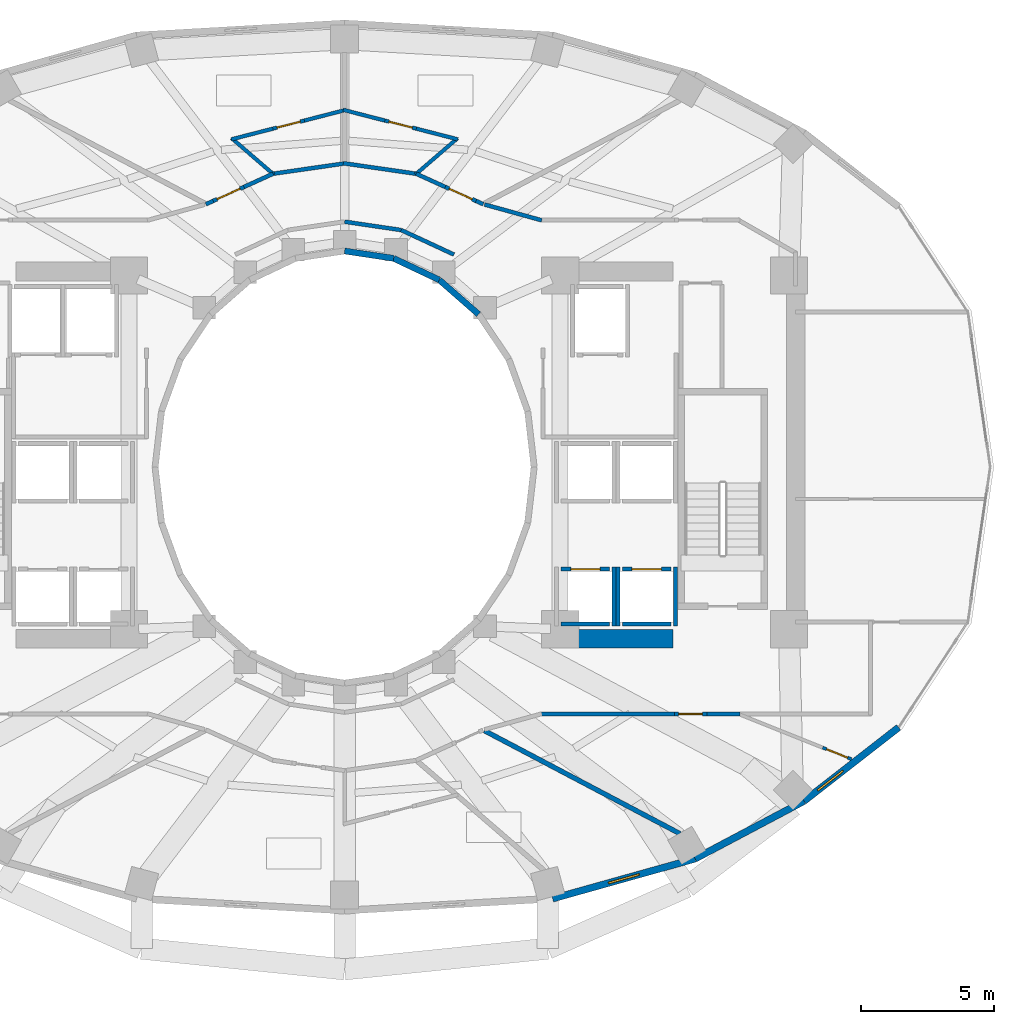
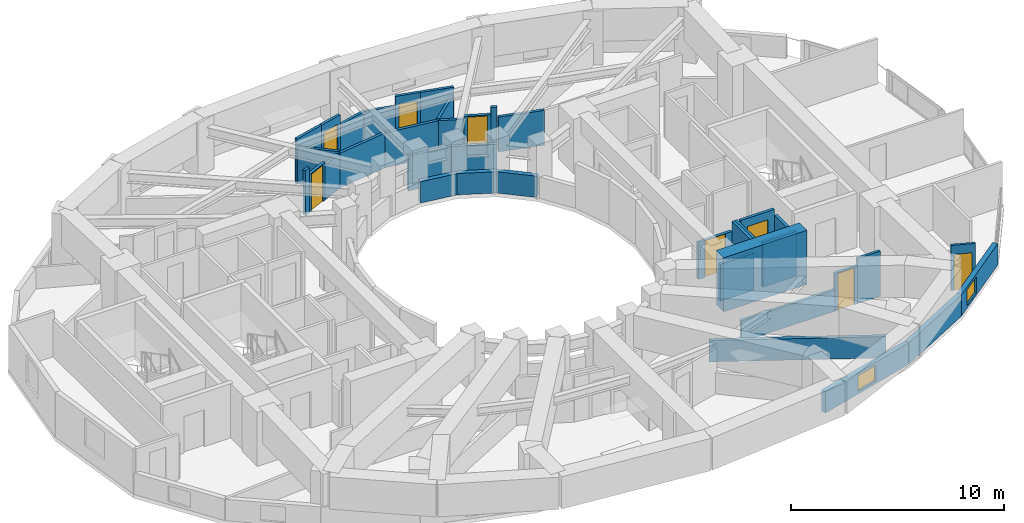
# One storey, part 9 of 14: 38 walls, 8 doors, 2 windows, 10 openings.
"""IFC4 building model written with IfcOpenShell, lengths in metres."""

from ifc_helpers import new_model, si_unit, direction, frame, frame_2d, origin, place, context, subcontext, project, spatial, rectangle, extrude, material, layer, layer_set, type_object, element, fill, save


model = new_model("IFC4")

# Units and contexts
model_context = context("Model", 3, precision=1e-05, world=origin(), true_north=direction((0.0, 1.0)))
body_context = subcontext(model_context, "Body", "Model", "MODEL_VIEW")
ifc_project = project(units=[si_unit("LENGTHUNIT", "METRE"), si_unit("AREAUNIT", "SQUARE_METRE"), si_unit("VOLUMEUNIT", "CUBIC_METRE"), si_unit("PLANEANGLEUNIT", "RADIAN"), si_unit("MASSUNIT", "GRAM", prefix="KILO")], contexts=[model_context])

# Site, building, storey
site_placement = place(None, origin())
site = spatial("IfcSite", under=ifc_project, at=site_placement, CompositionType="ELEMENT")
building_placement = place(site_placement, origin())
building = spatial("IfcBuilding", under=site, at=building_placement, Name="Solvane Sanctuary Tower", CompositionType="ELEMENT")
storey_placement = place(building_placement, frame((0.0, 0.0, 91.800048828125)))
storey = spatial("IfcBuildingStorey", under=building, at=storey_placement, Name="L27", CompositionType="ELEMENT", Elevation=91.800048828125)

# Walls
ifc_material_1 = material(Name="Concrete C60/75", Category="concrete")
ifc_layer_1 = layer(ifc_material_1, 0.699951171875, Name="Concrete C60/75")
ifc_layer_set_1 = layer_set([ifc_layer_1], Name="Concrete C60/75")
wall_type_1 = type_object("IfcWallType", Name="Wall W-CORE-700", PredefinedType="SHEAR", material=ifc_layer_set_1)
wall_1_placement = place(storey_placement, frame((39.85009765625, 16.550048828125, 0.0), z_axis=(0.0, 0.0, 1.0), x_axis=(1.0, 0.0, 0.0)))
element("IfcWall", 1, at=wall_1_placement, inside=storey, type_object=wall_type_1, Name="L27 Core Shear Wall EC-S", PredefinedType="SHEAR", context=body_context, shape_type="SweptSolid", body=[
    extrude(rectangle(XDim=4.5, YDim=0.699951171875, at=frame_2d((2.25, 0.0))), origin(), (0.0, 0.0, 1.0), 3.099853515625),
])
ifc_material_2 = material(Name="Acoustic Gypsum Partition Board")
ifc_layer_2 = layer(ifc_material_2, 0.14990234375, Name="Acoustic Gypsum Partition Board")
ifc_layer_set_2 = layer_set([ifc_layer_2], Name="Acoustic Gypsum Partition Board")
wall_type_2 = type_object("IfcWallType", Name="Wall W-CORR-150", PredefinedType="PARTITIONING", material=ifc_layer_set_2)
wall_2_placement = place(storey_placement, frame((36.110107421875, 30.98486328125, 0.0), z_axis=(0.0, 0.0, 1.0), x_axis=(-0.906943449489, 0.421252393975, 0.0)))
element("IfcWall", 2, at=wall_2_placement, inside=storey, type_object=wall_type_2, Name="L27 Light-Well Corridor Rim Wall N1", PredefinedType="PARTITIONING", context=body_context, shape_type="SweptSolid", body=[
    extrude(rectangle(XDim=2.18603515625, YDim=0.14990234375, at=frame_2d((1.093017578125, 0.0))), origin(), (0.0, 0.0, 1.0), 1.991943359375),
])
wall_3_placement = place(storey_placement, frame((34.12744140625, 31.90576171875, 0.0), z_axis=(0.0, 0.0, 1.0), x_axis=(-0.989268584896, 0.146108408166, 0.0)))
element("IfcWall", 3, at=wall_3_placement, inside=storey, type_object=wall_type_2, Name="L27 Light-Well Corridor Rim Wall N2", PredefinedType="PARTITIONING", context=body_context, shape_type="SweptSolid", body=[
    extrude(rectangle(XDim=2.150634765625, YDim=0.14990234375, at=frame_2d((1.0751953125, 0.0))), origin(), (0.0, 0.0, 1.0), 1.991943359375),
])
wall_4_placement = place(storey_placement, frame((37.258056640625, 32.86669921875, 0.0), z_axis=(0.0, 0.0, 1.0), x_axis=(0.963833843713, -0.266503886865, 0.0)))
element("IfcWall", 4, at=wall_4_placement, inside=storey, type_object=wall_type_2, Name="L27 NE Corner Throat Wall", PredefinedType="PARTITIONING", context=body_context, shape_type="SweptSolid", body=[
    extrude(rectangle(XDim=2.231689453125, YDim=0.14990234375, at=frame_2d((1.11572265625, 0.0))), origin(), (0.0, 0.0, 1.0), 1.991943359375),
])
wall_5_placement = place(storey_placement, frame((39.330078125, 13.719970703125, 0.0), z_axis=(0.0, 0.0, 1.0), x_axis=(1.0, 0.0, 0.0)))
element("IfcWall", 5, at=wall_5_placement, inside=storey, type_object=wall_type_2, Name="L27 SE Corner Corridor Wall", PredefinedType="PARTITIONING", context=body_context, shape_type="SweptSolid", body=[
    extrude(rectangle(XDim=5.059814453125, YDim=0.14990234375, at=frame_2d((2.52978515625, 0.0))), origin(), (0.0, 0.0, 1.0), 1.219970703125),
])

# Wall, opening, door
wall_6_placement = place(storey_placement, frame((44.389892578125, 13.719970703125, 0.0), z_axis=(0.0, 0.0, 1.0), x_axis=(1.0, 0.0, 0.0)))
wall_6 = element("IfcWall", 6, at=wall_6_placement, inside=storey, type_object=wall_type_2, Name="L27 SE Corner Corridor Wall", PredefinedType="PARTITIONING", context=body_context, shape_type="SweptSolid", body=[
    extrude(rectangle(XDim=1.22021484375, YDim=0.14990234375, at=frame_2d((0.610107421875, 0.0))), origin(), (0.0, 0.0, 1.0), 2.159912109375),
])
opening_1_placement = place(wall_6_placement, frame((0.159912109375, 0.0, 0.0)))
opening_1 = element("IfcOpeningElement", 7, at=opening_1_placement, cuts=wall_6, Name="Opening D-L27-16", PredefinedType="OPENING", context=body_context, shape_type="SweptSolid", body=[
    extrude(rectangle(XDim=0.89990234375, YDim=2.10009765625, at=frame_2d((0.449951171875, 1.050048828125))), frame((0.0, 0.0849609375, 0.0), z_axis=(0.0, -1.0, 0.0), x_axis=(1.0, 0.0, 0.0)), (0.0, 0.0, 1.0), 0.169921875),
])
ifc_material_3 = material(Name="Engineered Tropical Hardwood", Category="wood")
door_type_1 = type_object("IfcDoorType", Name="Door D-WET-900", OperationType="NOTDEFINED", PredefinedType="DOOR", material=ifc_material_3)
door_1_placement = place(opening_1_placement, origin())
door_1 = element("IfcDoor", 8, at=door_1_placement, inside=storey, type_object=door_type_1, Name="L27 SE Corner Salon Door", OperationType="SINGLE_SWING_LEFT", OverallHeight=2.10009765625, OverallWidth=0.89990234375, PredefinedType="DOOR", context=body_context, shape_type="SweptSolid", body=[
    extrude(rectangle(XDim=0.89990234375, YDim=2.10009765625, at=frame_2d((0.449951171875, 1.050048828125))), frame((0.0, 0.02490234375, 0.0), z_axis=(0.0, -1.0, 0.0), x_axis=(1.0, 0.0, 0.0)), (0.0, 0.0, 1.0), 0.050048828125),
])
fill(opening_1, door_1)

# Walls
wall_7_placement = place(storey_placement, frame((45.610107421875, 13.719970703125, 0.0), z_axis=(0.0, 0.0, 1.0), x_axis=(1.0, 0.0, 0.0)))
element("IfcWall", 9, at=wall_7_placement, inside=storey, type_object=wall_type_2, Name="L27 SE Corner Corridor Wall", PredefinedType="PARTITIONING", context=body_context, shape_type="SweptSolid", body=[
    extrude(rectangle(XDim=1.239990234375, YDim=0.14990234375, at=frame_2d((0.6201171875, 0.0))), origin(), (0.0, 0.0, 1.0), 2.574951171875),
])
wall_8_placement = place(storey_placement, frame((34.743896484375, 34.01416015625, 0.0), z_axis=(0.0, 0.0, 1.0), x_axis=(-0.989761784218, 0.142729150844, 0.0)))
element("IfcWall", 10, at=wall_8_placement, inside=storey, type_object=wall_type_2, Name="L27 En-suite Inner Wall N1", PredefinedType="PARTITIONING", context=body_context, shape_type="SweptSolid", body=[
    extrude(rectangle(XDim=2.822265625, YDim=0.14990234375, at=frame_2d((1.4111328125, 0.0))), origin(), (0.0, 0.0, 1.0), 1.991943359375),
])
wall_9_placement = place(storey_placement, frame((37.211181640625, 32.87744140625, 0.0), z_axis=(0.0, 0.0, 1.0), x_axis=(-0.910618030944, 0.413249079514, 0.0)))
element("IfcWall", 11, at=wall_9_placement, inside=storey, type_object=wall_type_2, Name="L27 Unit Corridor Wall N1", PredefinedType="PARTITIONING", context=body_context, shape_type="SweptSolid", body=[
    extrude(rectangle(XDim=0.298828125, YDim=0.14990234375, at=frame_2d((0.1494140625, 0.0))), origin(), (0.0, 0.0, 1.0), 2.574951171875),
])

# Wall, opening, door
wall_10_placement = place(storey_placement, frame((36.93896484375, 33.0009765625, 0.0), z_axis=(0.0, 0.0, 1.0), x_axis=(-0.910563905594, 0.413368327075, 0.0)))
wall_10 = element("IfcWall", 12, at=wall_10_placement, inside=storey, type_object=wall_type_2, Name="L27 Unit Corridor Wall N1", PredefinedType="PARTITIONING", context=body_context, shape_type="SweptSolid", body=[
    extrude(rectangle(XDim=1.269775390625, YDim=0.14990234375, at=frame_2d((0.634765625, 0.0))), origin(), (0.0, 0.0, 1.0), 2.159912109375),
])
opening_2_placement = place(wall_10_placement, frame((0.159912109375, 0.0, 0.0)))
opening_2 = element("IfcOpeningElement", 13, at=opening_2_placement, cuts=wall_10, Name="Opening D-L27-18", PredefinedType="OPENING", context=body_context, shape_type="SweptSolid", body=[
    extrude(rectangle(XDim=0.949951171875, YDim=2.10009765625, at=frame_2d((0.47509765625, 1.050048828125))), frame((0.0, 0.0849609375, 0.0), z_axis=(0.0, -1.0, 0.0), x_axis=(1.0, 0.0, 0.0)), (0.0, 0.0, 1.0), 0.169921875),
])
door_type_2 = type_object("IfcDoorType", Name="Door D-ROOM-950", OperationType="NOTDEFINED", PredefinedType="DOOR", material=ifc_material_3)
door_2_placement = place(opening_2_placement, origin())
door_2 = element("IfcDoor", 14, at=door_2_placement, inside=storey, type_object=door_type_2, Name="L27 Unit Entrance Door N1", OperationType="SINGLE_SWING_LEFT", OverallHeight=2.10009765625, OverallWidth=0.949951171875, PredefinedType="DOOR", context=body_context, shape_type="SweptSolid", body=[
    extrude(rectangle(XDim=0.949951171875, YDim=2.10009765625, at=frame_2d((0.47509765625, 1.050048828125))), frame((0.0, 0.02490234375, 0.0), z_axis=(0.0, -1.0, 0.0), x_axis=(1.0, 0.0, 0.0)), (0.0, 0.0, 1.0), 0.050048828125),
])
fill(opening_2, door_2)

# Walls
wall_11_placement = place(storey_placement, frame((35.78271484375, 33.52587890625, 0.0), z_axis=(0.0, 0.0, 1.0), x_axis=(-0.910560970219, 0.413374793032, 0.0)))
element("IfcWall", 15, at=wall_11_placement, inside=storey, type_object=wall_type_2, Name="L27 Unit Corridor Wall N1", PredefinedType="PARTITIONING", context=body_context, shape_type="SweptSolid", body=[
    extrude(rectangle(XDim=1.203125, YDim=0.14990234375, at=frame_2d((0.6015625, 0.0))), origin(), (0.0, 0.0, 1.0), 1.991943359375),
])
wall_12_placement = place(storey_placement, frame((32.049560546875, 34.4169921875, 0.0), z_axis=(0.0, 0.0, 1.0), x_axis=(-0.989761784218, -0.142729150844, 0.0)))
element("IfcWall", 16, at=wall_12_placement, inside=storey, type_object=wall_type_2, Name="L27 En-suite Inner Wall N2", PredefinedType="PARTITIONING", context=body_context, shape_type="SweptSolid", body=[
    extrude(rectangle(XDim=2.822265625, YDim=0.14990234375, at=frame_2d((1.4111328125, 0.0))), origin(), (0.0, 0.0, 1.0), 1.991943359375),
])
wall_13_placement = place(storey_placement, frame((29.312744140625, 34.023193359375, 0.0), z_axis=(0.0, 0.0, 1.0), x_axis=(-0.910560970219, -0.413374793032, 0.0)))
element("IfcWall", 17, at=wall_13_placement, inside=storey, type_object=wall_type_2, Name="L27 Unit Corridor Wall N2", PredefinedType="PARTITIONING", context=body_context, shape_type="SweptSolid", body=[
    extrude(rectangle(XDim=1.203125, YDim=0.14990234375, at=frame_2d((0.6015625, 0.0))), origin(), (0.0, 0.0, 1.0), 1.991943359375),
])

# Wall, opening, door
wall_14_placement = place(storey_placement, frame((28.21728515625, 33.52587890625, 0.0), z_axis=(0.0, 0.0, 1.0), x_axis=(-0.910563905594, -0.413368327075, 0.0)))
wall_14 = element("IfcWall", 18, at=wall_14_placement, inside=storey, type_object=wall_type_2, Name="L27 Unit Corridor Wall N2", PredefinedType="PARTITIONING", context=body_context, shape_type="SweptSolid", body=[
    extrude(rectangle(XDim=1.269775390625, YDim=0.14990234375, at=frame_2d((0.634765625, 0.0))), origin(), (0.0, 0.0, 1.0), 2.159912109375),
])
opening_3_placement = place(wall_14_placement, frame((0.159912109375, 0.0, 0.0)))
opening_3 = element("IfcOpeningElement", 19, at=opening_3_placement, cuts=wall_14, Name="Opening D-L27-20", PredefinedType="OPENING", context=body_context, shape_type="SweptSolid", body=[
    extrude(rectangle(XDim=0.949951171875, YDim=2.10009765625, at=frame_2d((0.47509765625, 1.050048828125))), frame((0.0, 0.0849609375, 0.0), z_axis=(0.0, -1.0, 0.0), x_axis=(1.0, 0.0, 0.0)), (0.0, 0.0, 1.0), 0.169921875),
])
door_3_placement = place(opening_3_placement, origin())
door_3 = element("IfcDoor", 20, at=door_3_placement, inside=storey, type_object=door_type_2, Name="L27 Unit Entrance Door N2", OperationType="SINGLE_SWING_LEFT", OverallHeight=2.10009765625, OverallWidth=0.949951171875, PredefinedType="DOOR", context=body_context, shape_type="SweptSolid", body=[
    extrude(rectangle(XDim=0.949951171875, YDim=2.10009765625, at=frame_2d((0.47509765625, 1.050048828125))), frame((0.0, 0.02490234375, 0.0), z_axis=(0.0, -1.0, 0.0), x_axis=(1.0, 0.0, 0.0)), (0.0, 0.0, 1.0), 0.050048828125),
])
fill(opening_3, door_3)

# Wall
wall_15_placement = place(storey_placement, frame((27.06103515625, 33.0009765625, 0.0), z_axis=(0.0, 0.0, 1.0), x_axis=(-0.910618030944, -0.413249079514, 0.0)))
element("IfcWall", 21, at=wall_15_placement, inside=storey, type_object=wall_type_2, Name="L27 Unit Corridor Wall N2", PredefinedType="PARTITIONING", context=body_context, shape_type="SweptSolid", body=[
    extrude(rectangle(XDim=0.298828125, YDim=0.14990234375, at=frame_2d((0.1494140625, 0.0))), origin(), (0.0, 0.0, 1.0), 2.574951171875),
])

# Wall, opening, window
ifc_material_4 = material(Name="Precast concrete C40/50", Category="concrete")
ifc_layer_3 = layer(ifc_material_4, 0.260009765625, Name="Precast concrete C40/50")
ifc_layer_set_3 = layer_set([ifc_layer_3], Name="Precast concrete C40/50")
wall_type_3 = type_object("IfcWallType", Name="Wall W-EXT-250", PredefinedType="STANDARD", material=ifc_layer_set_3)
wall_16_placement = place(storey_placement, frame((39.81640625, 6.7783203125, 0.0), z_axis=(0.0, 0.0, 1.0), x_axis=(0.962938491413, 0.269721081407, 0.0)))
wall_16 = element("IfcWall", 22, at=wall_16_placement, inside=storey, type_object=wall_type_3, Name="L27 Ceramic-Printed Facade Wall 19", PredefinedType="STANDARD", context=body_context, shape_type="SweptSolid", body=[
    extrude(rectangle(XDim=5.563232421875, YDim=0.260009765625, at=frame_2d((2.78173828125, 0.0))), origin(), (0.0, 0.0, 1.0), 1.219970703125),
])
opening_4_placement = place(wall_16_placement, frame((2.181640625, 0.0, 0.14990234375)))
opening_4 = element("IfcOpeningElement", 23, at=opening_4_placement, cuts=wall_16, Name="Opening WN-OPER-1200", PredefinedType="OPENING", context=body_context, shape_type="SweptSolid", body=[
    extrude(rectangle(XDim=1.199951171875, YDim=0.89990234375, at=frame_2d((0.60009765625, 0.449951171875))), frame((0.0, 0.139892578125, 0.0), z_axis=(0.0, -1.0, 0.0), x_axis=(1.0, 0.0, 0.0)), (0.0, 0.0, 1.0), 0.280029296875),
])
ifc_material_5 = material(Name="Dark Ceramic-Fritted Low-E Glass", Category="glass")
window_type = type_object("IfcWindowType", Name="Window WN-OPER-1200", PartitioningType="SINGLE_PANEL", PredefinedType="WINDOW", material=ifc_material_5)
window_1_placement = place(opening_4_placement, origin())
window_1 = element("IfcWindow", 24, at=window_1_placement, inside=storey, type_object=window_type, Name="L27 Operable Facade Window 19", OverallHeight=0.89990234375, OverallWidth=1.199951171875, PartitioningType="SINGLE_PANEL", PredefinedType="WINDOW", context=body_context, shape_type="SweptSolid", body=[
    extrude(rectangle(XDim=1.199951171875, YDim=0.89990234375, at=frame_2d((0.60009765625, 0.449951171875))), frame((0.0, 0.030029296875, 0.0), z_axis=(0.0, -1.0, 0.0), x_axis=(1.0, 0.0, 0.0)), (0.0, 0.0, 1.0), 0.06005859375),
])
fill(opening_4, window_1)

# Wall
wall_17_placement = place(storey_placement, frame((45.17333984375, 8.27880859375, 0.0), z_axis=(0.0, 0.0, 1.0), x_axis=(0.883668636807, 0.4681129568, 0.0)))
element("IfcWall", 25, at=wall_17_placement, inside=storey, type_object=wall_type_3, Name="L27 Ceramic-Printed Facade Wall 20", PredefinedType="STANDARD", context=body_context, shape_type="SweptSolid", body=[
    extrude(rectangle(XDim=4.63134765625, YDim=0.260009765625, at=frame_2d((2.315673828125, 0.0))), origin(), (0.0, 0.0, 1.0), 1.219970703125),
])

# Wall, opening, window
wall_18_placement = place(storey_placement, frame((49.265869140625, 10.44677734375, 0.0), z_axis=(0.0, 0.0, 1.0), x_axis=(0.789127449954, 0.614229491094, 0.0)))
wall_18 = element("IfcWall", 26, at=wall_18_placement, inside=storey, type_object=wall_type_3, Name="L27 Ceramic-Printed Facade Wall 21", PredefinedType="STANDARD", context=body_context, shape_type="SweptSolid", body=[
    extrude(rectangle(XDim=4.504638671875, YDim=0.260009765625, at=frame_2d((2.25244140625, 0.0))), origin(), (0.0, 0.0, 1.0), 1.219970703125),
])
opening_5_placement = place(wall_18_placement, frame((0.65478515625, 0.0, 0.14990234375)))
opening_5 = element("IfcOpeningElement", 27, at=opening_5_placement, cuts=wall_18, Name="Opening WN-OPER-1200", PredefinedType="OPENING", context=body_context, shape_type="SweptSolid", body=[
    extrude(rectangle(XDim=1.199951171875, YDim=0.89990234375, at=frame_2d((0.60009765625, 0.449951171875))), frame((0.0, 0.139892578125, 0.0), z_axis=(0.0, -1.0, 0.0), x_axis=(1.0, 0.0, 0.0)), (0.0, 0.0, 1.0), 0.280029296875),
])
window_2_placement = place(opening_5_placement, origin())
window_2 = element("IfcWindow", 28, at=window_2_placement, inside=storey, type_object=window_type, Name="L27 Operable Facade Window 21", OverallHeight=0.89990234375, OverallWidth=1.199951171875, PartitioningType="SINGLE_PANEL", PredefinedType="WINDOW", context=body_context, shape_type="SweptSolid", body=[
    extrude(rectangle(XDim=1.199951171875, YDim=0.89990234375, at=frame_2d((0.60009765625, 0.449951171875))), frame((0.0, 0.030029296875, 0.0), z_axis=(0.0, -1.0, 0.0), x_axis=(1.0, 0.0, 0.0)), (0.0, 0.0, 1.0), 0.06005859375),
])
fill(opening_5, window_2)

# Walls
ifc_layer_4 = layer(ifc_material_4, 0.22998046875, Name="Precast concrete C40/50")
ifc_layer_set_4 = layer_set([ifc_layer_4], Name="Precast concrete C40/50")
wall_type_4 = type_object("IfcWallType", Name="Wall W-EXT-SP220", PredefinedType="STANDARD", material=ifc_layer_set_4)
wall_19_placement = place(storey_placement, frame((37.03466796875, 28.74169921875, 0.0), z_axis=(0.0, 0.0, 1.0), x_axis=(-0.752576694707, 0.658504607869, 0.0)))
element("IfcWall", 29, at=wall_19_placement, inside=storey, type_object=wall_type_4, Name="L27 Central Light-Well Wall 03", PredefinedType="STANDARD", context=body_context, shape_type="SweptSolid", body=[
    extrude(rectangle(XDim=1.95947265625, YDim=0.22998046875, at=frame_2d((0.979736328125, 0.0))), origin(), (0.0, 0.0, 1.0), 1.219970703125),
])
wall_20_placement = place(storey_placement, frame((35.56005859375, 30.031982421875, 0.0), z_axis=(0.0, 0.0, 1.0), x_axis=(-0.904179699603, 0.427152280606, 0.0)))
element("IfcWall", 30, at=wall_20_placement, inside=storey, type_object=wall_type_4, Name="L27 Central Light-Well Wall 04", PredefinedType="STANDARD", context=body_context, shape_type="SweptSolid", body=[
    extrude(rectangle(XDim=1.899169921875, YDim=0.22998046875, at=frame_2d((0.94970703125, 0.0))), origin(), (0.0, 0.0, 1.0), 1.219970703125),
])
wall_21_placement = place(storey_placement, frame((33.8427734375, 30.84326171875, 0.0), z_axis=(0.0, 0.0, 1.0), x_axis=(-0.988901730308, 0.148571086668, 0.0)))
element("IfcWall", 31, at=wall_21_placement, inside=storey, type_object=wall_type_4, Name="L27 Central Light-Well Wall 05", PredefinedType="STANDARD", context=body_context, shape_type="SweptSolid", body=[
    extrude(rectangle(XDim=1.863525390625, YDim=0.22998046875, at=frame_2d((0.931640625, 0.0))), origin(), (0.0, 0.0, 1.0), 1.219970703125),
])

# Wall, opening, door
ifc_layer_5 = layer(ifc_material_2, 0.1201171875, Name="Acoustic Gypsum Partition Board")
ifc_layer_set_5 = layer_set([ifc_layer_5], Name="Acoustic Gypsum Partition Board")
wall_type_5 = type_object("IfcWallType", Name="Wall W-MOV-100", PredefinedType="MOVABLE", material=ifc_layer_set_5)
wall_22_placement = place(storey_placement, frame((49.96533203125, 12.4541015625, 0.0), z_axis=(0.0, 0.0, 1.0), x_axis=(0.928548626085, -0.371210787822, 0.0)))
wall_22 = element("IfcWall", 32, at=wall_22_placement, inside=storey, type_object=wall_type_5, Name="L27 SE Corner Suite Partition", PredefinedType="MOVABLE", context=body_context, shape_type="SweptSolid", body=[
    extrude(rectangle(XDim=1.169921875, YDim=0.1201171875, at=frame_2d((0.5849609375, 0.0))), origin(), (0.0, 0.0, 1.0), 2.574951171875),
])
opening_6_placement = place(wall_22_placement, frame((0.159912109375, 0.0, 0.0)))
opening_6 = element("IfcOpeningElement", 33, at=opening_6_placement, cuts=wall_22, Name="Opening D-L27-15", PredefinedType="OPENING", context=body_context, shape_type="SweptSolid", body=[
    extrude(rectangle(XDim=0.85009765625, YDim=2.050048828125, at=frame_2d((0.425048828125, 1.02490234375))), frame((0.0, 0.070068359375, 0.0), z_axis=(0.0, -1.0, 0.0), x_axis=(1.0, 0.0, 0.0)), (0.0, 0.0, 1.0), 0.14013671875),
])
ifc_material_6 = material(Name="Architectural Stainless Steel 316", Category="steel")
door_type_3 = type_object("IfcDoorType", Name="Door D-RISER", OperationType="NOTDEFINED", PredefinedType="DOOR", material=ifc_material_6)
door_4_placement = place(opening_6_placement, origin())
door_4 = element("IfcDoor", 34, at=door_4_placement, inside=storey, type_object=door_type_3, Name="L27 SE Corner Suite Door", OperationType="SINGLE_SWING_RIGHT", OverallHeight=2.050048828125, OverallWidth=0.85009765625, PredefinedType="DOOR", context=body_context, shape_type="SweptSolid", body=[
    extrude(rectangle(XDim=0.85009765625, YDim=2.050048828125, at=frame_2d((0.425048828125, 1.02490234375))), frame((0.0, 0.02490234375, 0.0), z_axis=(0.0, -1.0, 0.0), x_axis=(1.0, 0.0, 0.0)), (0.0, 0.0, 1.0), 0.050048828125),
])
fill(opening_6, door_4)

ifc_material_7 = material(Name="Concrete C50/60", Category="concrete")
ifc_layer_6 = layer(ifc_material_7, 0.14990234375, Name="Concrete C50/60")
ifc_layer_set_6 = layer_set([ifc_layer_6], Name="Concrete C50/60")
wall_type_6 = type_object("IfcWallType", Name="Wall W-SHAFT-150", PredefinedType="SOLIDWALL", material=ifc_layer_set_6)
wall_23_placement = place(storey_placement, frame((40.139892578125, 19.159912109375, 0.0), z_axis=(0.0, 0.0, 1.0), x_axis=(1.0, 0.0, 0.0)))
wall_23 = element("IfcWall", 35, at=wall_23_placement, inside=storey, type_object=wall_type_6, Name="L27 PL-3 Lift Shaft Wall F", PredefinedType="SOLIDWALL", context=body_context, shape_type="SweptSolid", body=[
    extrude(rectangle(XDim=1.820068359375, YDim=0.14990234375, at=frame_2d((0.91015625, 0.0))), origin(), (0.0, 0.0, 1.0), 2.119873046875),
])
opening_7_placement = place(wall_23_placement, frame((0.360107421875, 0.0, 0.0)))
opening_7 = element("IfcOpeningElement", 36, at=opening_7_placement, cuts=wall_23, Name="Opening LD-L27-03", PredefinedType="OPENING", context=body_context, shape_type="SweptSolid", body=[
    extrude(rectangle(XDim=1.10009765625, YDim=2.10009765625, at=frame_2d((0.550048828125, 1.050048828125))), frame((0.0, 0.0849609375, 0.0), z_axis=(0.0, -1.0, 0.0), x_axis=(1.0, 0.0, 0.0)), (0.0, 0.0, 1.0), 0.169921875),
])
door_type_4 = type_object("IfcDoorType", Name="Door LD-PASS-1100", OperationType="NOTDEFINED", PredefinedType="DOOR", material=ifc_material_6)
door_5_placement = place(opening_7_placement, origin())
door_5 = element("IfcDoor", 37, at=door_5_placement, inside=storey, type_object=door_type_4, Name="L27 PL-3 Lift Landing Door", OperationType="DOUBLE_DOOR_SLIDING", OverallHeight=2.10009765625, OverallWidth=1.10009765625, PredefinedType="DOOR", context=body_context, shape_type="SweptSolid", body=[
    extrude(rectangle(XDim=1.10009765625, YDim=2.10009765625, at=frame_2d((0.550048828125, 1.050048828125))), frame((0.0, 0.02490234375, 0.0), z_axis=(0.0, -1.0, 0.0), x_axis=(1.0, 0.0, 0.0)), (0.0, 0.0, 1.0), 0.050048828125),
])
fill(opening_7, door_5)

# Walls
wall_24_placement = place(storey_placement, frame((40.139892578125, 17.10009765625, 0.0), z_axis=(0.0, 0.0, 1.0), x_axis=(1.0, 0.0, 0.0)))
element("IfcWall", 38, at=wall_24_placement, inside=storey, type_object=wall_type_6, Name="L27 PL-3 Lift Shaft Wall B", PredefinedType="SOLIDWALL", context=body_context, shape_type="SweptSolid", body=[
    extrude(rectangle(XDim=1.820068359375, YDim=0.14990234375, at=frame_2d((0.91015625, 0.0))), origin(), (0.0, 0.0, 1.0), 2.119873046875),
])
wall_25_placement = place(storey_placement, frame((42.1298828125, 17.02001953125, 0.0), z_axis=(0.0, 0.0, 1.0), x_axis=(0.0, 1.0, 0.0)))
element("IfcWall", 39, at=wall_25_placement, inside=storey, type_object=wall_type_6, Name="L27 PL-3 Lift Shaft Wall S2", PredefinedType="SOLIDWALL", context=body_context, shape_type="SweptSolid", body=[
    extrude(rectangle(XDim=2.219970703125, YDim=0.14990234375, at=frame_2d((1.10986328125, 0.0))), origin(), (0.0, 0.0, 1.0), 2.574951171875),
])

# Wall, opening, door
wall_26_placement = place(storey_placement, frame((42.43994140625, 19.159912109375, 0.0), z_axis=(0.0, 0.0, 1.0), x_axis=(1.0, 0.0, 0.0)))
wall_26 = element("IfcWall", 40, at=wall_26_placement, inside=storey, type_object=wall_type_6, Name="L27 PL-4 Lift Shaft Wall F", PredefinedType="SOLIDWALL", context=body_context, shape_type="SweptSolid", body=[
    extrude(rectangle(XDim=1.820068359375, YDim=0.14990234375, at=frame_2d((0.91015625, 0.0))), origin(), (0.0, 0.0, 1.0), 2.574951171875),
])
opening_8_placement = place(wall_26_placement, frame((0.360107421875, 0.0, 0.0)))
opening_8 = element("IfcOpeningElement", 41, at=opening_8_placement, cuts=wall_26, Name="Opening LD-L27-04", PredefinedType="OPENING", context=body_context, shape_type="SweptSolid", body=[
    extrude(rectangle(XDim=1.10009765625, YDim=2.10009765625, at=frame_2d((0.550048828125, 1.050048828125))), frame((0.0, 0.0849609375, 0.0), z_axis=(0.0, -1.0, 0.0), x_axis=(1.0, 0.0, 0.0)), (0.0, 0.0, 1.0), 0.169921875),
])
door_6_placement = place(opening_8_placement, origin())
door_6 = element("IfcDoor", 42, at=door_6_placement, inside=storey, type_object=door_type_4, Name="L27 PL-4 Lift Landing Door", OperationType="DOUBLE_DOOR_SLIDING", OverallHeight=2.10009765625, OverallWidth=1.10009765625, PredefinedType="DOOR", context=body_context, shape_type="SweptSolid", body=[
    extrude(rectangle(XDim=1.10009765625, YDim=2.10009765625, at=frame_2d((0.550048828125, 1.050048828125))), frame((0.0, 0.02490234375, 0.0), z_axis=(0.0, -1.0, 0.0), x_axis=(1.0, 0.0, 0.0)), (0.0, 0.0, 1.0), 0.050048828125),
])
fill(opening_8, door_6)

# Walls
wall_27_placement = place(storey_placement, frame((42.43994140625, 17.10009765625, 0.0), z_axis=(0.0, 0.0, 1.0), x_axis=(1.0, 0.0, 0.0)))
element("IfcWall", 43, at=wall_27_placement, inside=storey, type_object=wall_type_6, Name="L27 PL-4 Lift Shaft Wall B", PredefinedType="SOLIDWALL", context=body_context, shape_type="SweptSolid", body=[
    extrude(rectangle(XDim=1.820068359375, YDim=0.14990234375, at=frame_2d((0.91015625, 0.0))), origin(), (0.0, 0.0, 1.0), 2.574951171875),
])
wall_28_placement = place(storey_placement, frame((42.27001953125, 17.02001953125, 0.0), z_axis=(0.0, 0.0, 1.0), x_axis=(0.0, 1.0, 0.0)))
element("IfcWall", 44, at=wall_28_placement, inside=storey, type_object=wall_type_6, Name="L27 PL-4 Lift Shaft Wall S1", PredefinedType="SOLIDWALL", context=body_context, shape_type="SweptSolid", body=[
    extrude(rectangle(XDim=2.219970703125, YDim=0.14990234375, at=frame_2d((1.10986328125, 0.0))), origin(), (0.0, 0.0, 1.0), 2.574951171875),
])
wall_29_placement = place(storey_placement, frame((44.429931640625, 17.02001953125, 0.0), z_axis=(0.0, 0.0, 1.0), x_axis=(0.0, 1.0, 0.0)))
element("IfcWall", 45, at=wall_29_placement, inside=storey, type_object=wall_type_6, Name="L27 PL-4 Lift Shaft Wall S2", PredefinedType="SOLIDWALL", context=body_context, shape_type="SweptSolid", body=[
    extrude(rectangle(XDim=2.219970703125, YDim=0.14990234375, at=frame_2d((1.10986328125, 0.0))), origin(), (0.0, 0.0, 1.0), 2.119873046875),
])
ifc_layer_7 = layer(ifc_material_2, 0.179931640625, Name="Acoustic Gypsum Partition Board")
ifc_layer_set_7 = layer_set([ifc_layer_7], Name="Acoustic Gypsum Partition Board")
wall_type_7 = type_object("IfcWallType", Name="Wall W-UNIT-180", PredefinedType="PARTITIONING", material=ifc_layer_set_7)
wall_30_placement = place(storey_placement, frame((37.253662109375, 13.093017578125, 0.0), z_axis=(0.0, 0.0, 1.0), x_axis=(0.884730147854, -0.466103599512, 0.0)))
element("IfcWall", 46, at=wall_30_placement, inside=storey, type_object=wall_type_7, Name="L27 Radial Compartment Wall 300", PredefinedType="PARTITIONING", context=body_context, shape_type="SweptSolid", body=[
    extrude(rectangle(XDim=8.309814453125, YDim=0.179931640625, at=frame_2d((4.15478515625, 0.0))), origin(), (0.0, 0.0, 1.0), 1.219970703125),
])
ifc_layer_8 = layer(ifc_material_2, 0.139892578125, Name="Acoustic Gypsum Partition Board")
ifc_layer_set_8 = layer_set([ifc_layer_8], Name="Acoustic Gypsum Partition Board")
wall_type_8 = type_object("IfcWallType", Name="Wall W-WET-140", PredefinedType="PLUMBINGWALL", material=ifc_layer_set_8)
wall_31_placement = place(storey_placement, frame((34.656494140625, 33.988525390625, 0.0), z_axis=(0.0, 0.0, 1.0), x_axis=(0.757267205396, 0.653105182671, 0.0)))
element("IfcWall", 47, at=wall_31_placement, inside=storey, type_object=wall_type_8, Name="L27 En-suite Side Partition N1", PredefinedType="PLUMBINGWALL", context=body_context, shape_type="SweptSolid", body=[
    extrude(rectangle(XDim=2.10009765625, YDim=0.139892578125, at=frame_2d((1.050048828125, 0.0))), origin(), (0.0, 0.0, 1.0), 2.10498046875),
])
wall_32_placement = place(storey_placement, frame((36.25732421875, 35.314697265625, 0.0), z_axis=(0.0, 0.0, 1.0), x_axis=(-0.968427184166, 0.249296588359, 0.0)))
element("IfcWall", 48, at=wall_32_placement, inside=storey, type_object=wall_type_8, Name="L27 En-suite Bedroom Wall N1", PredefinedType="PLUMBINGWALL", context=body_context, shape_type="SweptSolid", body=[
    extrude(rectangle(XDim=1.613037109375, YDim=0.139892578125, at=frame_2d((0.806640625, 0.0))), origin(), (0.0, 0.0, 1.0), 2.574951171875),
])

# Wall, opening, door
wall_33_placement = place(storey_placement, frame((34.6953125, 35.716796875, 0.0), z_axis=(0.0, 0.0, 1.0), x_axis=(-0.968520506564, 0.248933783092, 0.0)))
wall_33 = element("IfcWall", 49, at=wall_33_placement, inside=storey, type_object=wall_type_8, Name="L27 En-suite Bedroom Wall N1", PredefinedType="PLUMBINGWALL", context=body_context, shape_type="SweptSolid", body=[
    extrude(rectangle(XDim=1.219970703125, YDim=0.139892578125, at=frame_2d((0.60986328125, 0.0))), origin(), (0.0, 0.0, 1.0), 2.574951171875),
])
opening_9_placement = place(wall_33_placement, frame((0.159912109375, 0.0, 0.0)))
opening_9 = element("IfcOpeningElement", 50, at=opening_9_placement, cuts=wall_33, Name="Opening D-L27-17", PredefinedType="OPENING", context=body_context, shape_type="SweptSolid", body=[
    extrude(rectangle(XDim=0.89990234375, YDim=2.10009765625, at=frame_2d((0.449951171875, 1.050048828125))), frame((0.0, 0.079833984375, 0.0), z_axis=(0.0, -1.0, 0.0), x_axis=(1.0, 0.0, 0.0)), (0.0, 0.0, 1.0), 0.159912109375),
])
door_7_placement = place(opening_9_placement, origin())
door_7 = element("IfcDoor", 51, at=door_7_placement, inside=storey, type_object=door_type_1, Name="L27 En-suite Bathroom Door N1", OperationType="SINGLE_SWING_RIGHT", OverallHeight=2.10009765625, OverallWidth=0.89990234375, PredefinedType="DOOR", context=body_context, shape_type="SweptSolid", body=[
    extrude(rectangle(XDim=0.89990234375, YDim=2.10009765625, at=frame_2d((0.449951171875, 1.050048828125))), frame((0.0, 0.02490234375, 0.0), z_axis=(0.0, -1.0, 0.0), x_axis=(1.0, 0.0, 0.0)), (0.0, 0.0, 1.0), 0.050048828125),
])
fill(opening_9, door_7)

# Walls
wall_34_placement = place(storey_placement, frame((33.513671875, 36.0205078125, 0.0), z_axis=(0.0, 0.0, 1.0), x_axis=(-0.968427184166, 0.249296588359, 0.0)))
element("IfcWall", 52, at=wall_34_placement, inside=storey, type_object=wall_type_8, Name="L27 En-suite Bedroom Wall N1", PredefinedType="PLUMBINGWALL", context=body_context, shape_type="SweptSolid", body=[
    extrude(rectangle(XDim=1.613037109375, YDim=0.139892578125, at=frame_2d((0.806640625, 0.0))), origin(), (0.0, 0.0, 1.0), 1.991943359375),
])
wall_35_placement = place(storey_placement, frame((29.343505859375, 33.988525390625, 0.0), z_axis=(0.0, 0.0, 1.0), x_axis=(-0.757267205396, 0.653105182671, 0.0)))
element("IfcWall", 53, at=wall_35_placement, inside=storey, type_object=wall_type_8, Name="L27 En-suite Side Partition N2", PredefinedType="PLUMBINGWALL", context=body_context, shape_type="SweptSolid", body=[
    extrude(rectangle(XDim=2.10009765625, YDim=0.139892578125, at=frame_2d((1.050048828125, 0.0))), origin(), (0.0, 0.0, 1.0), 2.10498046875),
])
wall_36_placement = place(storey_placement, frame((32.04833984375, 36.422607421875, 0.0), z_axis=(0.0, 0.0, 1.0), x_axis=(-0.968427184166, -0.249296588359, 0.0)))
element("IfcWall", 54, at=wall_36_placement, inside=storey, type_object=wall_type_8, Name="L27 En-suite Bedroom Wall N2", PredefinedType="PLUMBINGWALL", context=body_context, shape_type="SweptSolid", body=[
    extrude(rectangle(XDim=1.613037109375, YDim=0.139892578125, at=frame_2d((0.806640625, 0.0))), origin(), (0.0, 0.0, 1.0), 1.991943359375),
])

# Wall, opening, door
wall_37_placement = place(storey_placement, frame((30.486328125, 36.0205078125, 0.0), z_axis=(0.0, 0.0, 1.0), x_axis=(-0.968520506564, -0.248933783092, 0.0)))
wall_37 = element("IfcWall", 55, at=wall_37_placement, inside=storey, type_object=wall_type_8, Name="L27 En-suite Bedroom Wall N2", PredefinedType="PLUMBINGWALL", context=body_context, shape_type="SweptSolid", body=[
    extrude(rectangle(XDim=1.219970703125, YDim=0.139892578125, at=frame_2d((0.60986328125, 0.0))), origin(), (0.0, 0.0, 1.0), 2.574951171875),
])
opening_10_placement = place(wall_37_placement, frame((0.159912109375, 0.0, 0.0)))
opening_10 = element("IfcOpeningElement", 56, at=opening_10_placement, cuts=wall_37, Name="Opening D-L27-19", PredefinedType="OPENING", context=body_context, shape_type="SweptSolid", body=[
    extrude(rectangle(XDim=0.89990234375, YDim=2.10009765625, at=frame_2d((0.449951171875, 1.050048828125))), frame((0.0, 0.079833984375, 0.0), z_axis=(0.0, -1.0, 0.0), x_axis=(1.0, 0.0, 0.0)), (0.0, 0.0, 1.0), 0.159912109375),
])
door_8_placement = place(opening_10_placement, origin())
door_8 = element("IfcDoor", 57, at=door_8_placement, inside=storey, type_object=door_type_1, Name="L27 En-suite Bathroom Door N2", OperationType="SINGLE_SWING_RIGHT", OverallHeight=2.10009765625, OverallWidth=0.89990234375, PredefinedType="DOOR", context=body_context, shape_type="SweptSolid", body=[
    extrude(rectangle(XDim=0.89990234375, YDim=2.10009765625, at=frame_2d((0.449951171875, 1.050048828125))), frame((0.0, 0.02490234375, 0.0), z_axis=(0.0, -1.0, 0.0), x_axis=(1.0, 0.0, 0.0)), (0.0, 0.0, 1.0), 0.050048828125),
])
fill(opening_10, door_8)

# Wall
wall_38_placement = place(storey_placement, frame((29.3046875, 35.716796875, 0.0), z_axis=(0.0, 0.0, 1.0), x_axis=(-0.968427184166, -0.249296588359, 0.0)))
element("IfcWall", 58, at=wall_38_placement, inside=storey, type_object=wall_type_8, Name="L27 En-suite Bedroom Wall N2", PredefinedType="PLUMBINGWALL", context=body_context, shape_type="SweptSolid", body=[
    extrude(rectangle(XDim=1.613037109375, YDim=0.139892578125, at=frame_2d((0.806640625, 0.0))), origin(), (0.0, 0.0, 1.0), 2.574951171875),
])

save(model, "model.ifc")
